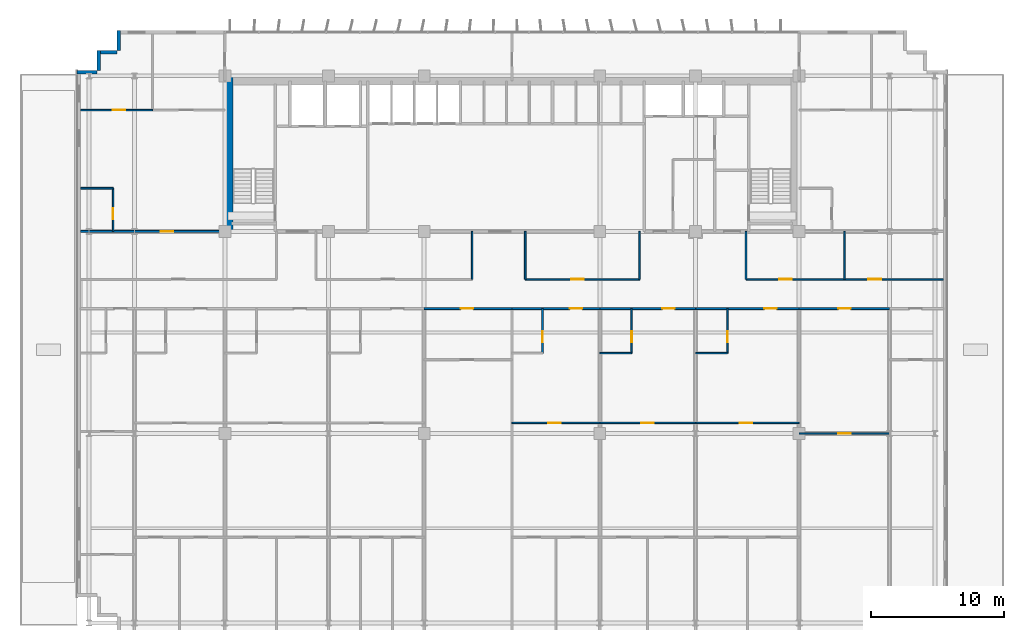
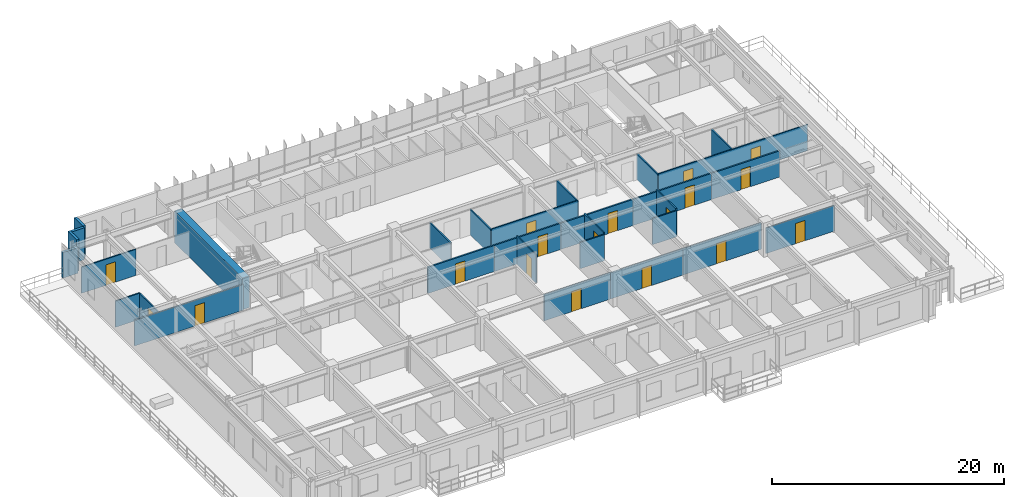
# One storey, part 19 of 26: 30 walls, 18 doors, 18 openings.
"""IFC4 building model written with IfcOpenShell, lengths in metres."""

from ifc_helpers import new_model, si_unit, direction, frame, frame_2d, origin, place, context, subcontext, project, spatial, rectangle, extrude, source, transform, mapped, material, layer, layer_set, type_object, element, fill, save


model = new_model("IFC4")

# Units and contexts
model_context = context("Model", 3, precision=1e-05, world=origin(), true_north=direction((0.0, 1.0)))
body_context = subcontext(model_context, "Body", "Model", "MODEL_VIEW")
ifc_project = project(units=[si_unit("LENGTHUNIT", "METRE"), si_unit("AREAUNIT", "SQUARE_METRE"), si_unit("VOLUMEUNIT", "CUBIC_METRE"), si_unit("PLANEANGLEUNIT", "RADIAN"), si_unit("MASSUNIT", "GRAM", prefix="KILO")], contexts=[model_context])

# Site, building, storey
site_placement = place(None, origin())
site = spatial("IfcSite", under=ifc_project, at=site_placement, CompositionType="ELEMENT")
building_placement = place(site_placement, origin())
building = spatial("IfcBuilding", under=site, at=building_placement, Name="Trelvane Seafront Commons", CompositionType="ELEMENT")
storey_placement = place(building_placement, frame((0.0, 0.0, 23.5)))
storey = spatial("IfcBuildingStorey", under=building, at=storey_placement, Name="L05", CompositionType="ELEMENT", Elevation=23.5)

# Walls
ifc_material_1 = material(Name="Precast concrete C40/50", Category="concrete")
ifc_layer_1 = layer(ifc_material_1, 0.260009765625, Name="ARCH-WALL-EXT260")
ifc_layer_set_1 = layer_set([ifc_layer_1], Name="Precast concrete C40/50")
wall_type_1 = type_object("IfcWallType", Name="ARCH-WALL-EXT260", PredefinedType="SOLIDWALL", material=ifc_layer_set_1)
wall_1_placement = place(storey_placement, frame((4.5, 45.3701171875, 0.0), z_axis=(0.0, 0.0, 1.0), x_axis=(1.0, 0.0, 0.0)))
element("IfcWall", 1, at=wall_1_placement, inside=storey, type_object=wall_type_1, Name="EW-L05-00051", PredefinedType="SOLIDWALL", context=body_context, shape_type="SweptSolid", body=[
    extrude(rectangle(XDim=1.5, YDim=0.260009765625, at=frame_2d((0.75, 0.0))), origin(), (0.0, 0.0, 1.0), 2.68994140625),
])
for number, where, z_axis, x_axis, name in (
    (2, (6.1298828125, 45.5, 0.0), (0.0, 0.0, 1.0), (0.0, 1.0, 0.0), "EW-L05-00052"),
    (3, (6.0, 46.8701171875, 0.0), (0.0, 0.0, 1.0), (1.0, 0.0, 0.0), "EW-L05-00053"),
    (4, (7.6298828125, 47.0, 0.0), (0.0, 0.0, 1.0), (0.0, 1.0, 0.0), "EW-L05-00054"),
):
    element("IfcWall", number, at=place(storey_placement, frame(where, z_axis=z_axis, x_axis=x_axis)), inside=storey, type_object=wall_type_1, Name=name, PredefinedType="SOLIDWALL", context=body_context, shape_type="SweptSolid", body=[
        extrude(rectangle(XDim=1.5, YDim=0.260009765625, at=frame_2d((0.75, 0.0))), origin(), (0.0, 0.0, 1.0), 3.340087890625),
    ])

# Wall, opening, door
ifc_material_2 = material(Name="Gypsum Drywall Acoustic Partition")
ifc_layer_2 = layer(ifc_material_2, 0.1201171875, Name="ARCH-WALL-PART120")
ifc_layer_set_2 = layer_set([ifc_layer_2], Name="Gypsum Drywall Acoustic Partition")
wall_type_2 = type_object("IfcWallType", Name="ARCH-WALL-PART120", PredefinedType="PARTITIONING", material=ifc_layer_set_2)
wall_2_placement = place(storey_placement, frame((38.199951171875, 29.800048828125, 0.0), z_axis=(0.0, 0.0, 1.0), x_axis=(1.0, 0.0, 0.0)))
wall_2 = element("IfcWall", 5, at=wall_2_placement, inside=storey, type_object=wall_type_2, Name="W-L05-CORR-N-M2-040", PredefinedType="PARTITIONING", context=body_context, shape_type="SweptSolid", body=[
    extrude(rectangle(XDim=8.60009765625, YDim=0.1201171875, at=frame_2d((4.300048828125, 0.0))), origin(), (0.0, 0.0, 1.0), 2.751953125),
])
opening_1_placement = place(wall_2_placement, frame((3.4619140625, 0.0, 0.0)))
opening_1 = element("IfcOpeningElement", 6, at=opening_1_placement, cuts=wall_2, Name="Opening D-L05-19", PredefinedType="OPENING", context=body_context, shape_type="SweptSolid", body=[
    extrude(rectangle(XDim=0.949951171875, YDim=2.14990234375, at=frame_2d((0.47509765625, 1.074951171875))), frame((0.0, 0.070068359375, 0.0), z_axis=(0.0, -1.0, 0.0), x_axis=(1.0, 0.0, 0.0)), (0.0, 0.0, 1.0), 0.14013671875),
])
ifc_material_3 = material(Name="Acoustic timber door leaf", Category="wood")
door_type_1 = type_object("IfcDoorType", Name="ARCH-DR-INT950", OperationType="NOTDEFINED", PredefinedType="DOOR", material=ifc_material_3)
shared_shape_1 = source(origin(), body_context, "Body", "SweptSolid", [
    extrude(rectangle(XDim=0.949951171875, YDim=2.14990234375, at=frame_2d((0.47509765625, 1.074951171875))), frame((0.0, 0.02490234375, 0.0), z_axis=(0.0, -1.0, 0.0), x_axis=(1.0, 0.0, 0.0)), (0.0, 0.0, 1.0), 0.050048828125),
])
door_1_placement = place(opening_1_placement, origin())
door_1 = element("IfcDoor", 7, at=door_1_placement, inside=storey, type_object=door_type_1, Name="L05 Door 19", OperationType="SINGLE_SWING_LEFT", OverallHeight=2.14990234375, OverallWidth=0.949951171875, PredefinedType="DOOR", context=body_context, shape_type="MappedRepresentation", body=[
    mapped(shared_shape_1, transform((0.0, 0.0, 0.0), x_axis=(1.0, 0.0, 0.0), y_axis=(0.0, 1.0, 0.0), z_axis=(0.0, 0.0, 1.0), scale=1.0)),
])
fill(opening_1, door_1)

# Wall, openings, doors
wall_3_placement = place(storey_placement, frame((54.800048828125, 29.800048828125, 0.0), z_axis=(0.0, 0.0, 1.0), x_axis=(1.0, 0.0, 0.0)))
wall_3 = element("IfcWall", 8, at=wall_3_placement, inside=storey, type_object=wall_type_2, Name="W-L05-CORR-N-E-041", PredefinedType="PARTITIONING", context=body_context, shape_type="SweptSolid", body=[
    extrude(rectangle(XDim=14.849853515625, YDim=0.1201171875, at=frame_2d((7.4248046875, 0.0))), origin(), (0.0, 0.0, 1.0), 2.751953125),
])
opening_2_placement = place(wall_3_placement, frame((2.5, 0.0, 0.0)))
opening_2 = element("IfcOpeningElement", 9, at=opening_2_placement, cuts=wall_3, Name="Opening D-L05-20", PredefinedType="OPENING", context=body_context, shape_type="SweptSolid", body=[
    extrude(rectangle(XDim=0.949951171875, YDim=2.14990234375, at=frame_2d((0.47509765625, 1.074951171875))), frame((0.0, 0.070068359375, 0.0), z_axis=(0.0, -1.0, 0.0), x_axis=(1.0, 0.0, 0.0)), (0.0, 0.0, 1.0), 0.14013671875),
])
opening_3_placement = place(wall_3_placement, frame((9.199951171875, 0.0, 0.0)))
opening_3 = element("IfcOpeningElement", 10, at=opening_3_placement, cuts=wall_3, Name="Opening D-L05-21", PredefinedType="OPENING", context=body_context, shape_type="SweptSolid", body=[
    extrude(rectangle(XDim=0.949951171875, YDim=2.14990234375, at=frame_2d((0.47509765625, 1.074951171875))), frame((0.0, 0.070068359375, 0.0), z_axis=(0.0, -1.0, 0.0), x_axis=(1.0, 0.0, 0.0)), (0.0, 0.0, 1.0), 0.14013671875),
])
door_2_placement = place(opening_2_placement, origin())
door_2 = element("IfcDoor", 11, at=door_2_placement, inside=storey, type_object=door_type_1, Name="L05 Door 20", OperationType="SINGLE_SWING_RIGHT", OverallHeight=2.14990234375, OverallWidth=0.949951171875, PredefinedType="DOOR", context=body_context, shape_type="MappedRepresentation", body=[
    mapped(shared_shape_1, transform((0.0, 0.0, 0.0), x_axis=(1.0, 0.0, 0.0), y_axis=(0.0, 1.0, 0.0), z_axis=(0.0, 0.0, 1.0), scale=1.0)),
])
fill(opening_2, door_2)
door_3_placement = place(opening_3_placement, origin())
door_3 = element("IfcDoor", 12, at=door_3_placement, inside=storey, type_object=door_type_1, Name="L05 Door 21", OperationType="SINGLE_SWING_LEFT", OverallHeight=2.14990234375, OverallWidth=0.949951171875, PredefinedType="DOOR", context=body_context, shape_type="MappedRepresentation", body=[
    mapped(shared_shape_1, transform((0.0, 0.0, 0.0), x_axis=(1.0, 0.0, 0.0), y_axis=(0.0, 1.0, 0.0), z_axis=(0.0, 0.0, 1.0), scale=1.0)),
])
fill(opening_3, door_3)

# Walls
for number, where, z_axis, x_axis, name in (
    (13, (62.199951171875, 29.800048828125, 0.0), (0.0, 0.0, 1.0), (0.0, 1.0, 0.0), "W-L05-N-LAUN-DV-042"),
    (14, (34.199951171875, 29.800048828125, 0.0), (0.0, 0.0, 1.0), (0.0, 1.0, 0.0), "W-L05-N-SPUR-M1-045"),
    (15, (38.199951171875, 29.800048828125, 0.0), (0.0, 0.0, 1.0), (0.0, 1.0, 0.0), "W-L05-N-SPUR-M2-046"),
    (16, (46.800048828125, 29.800048828125, 0.0), (0.0, 0.0, 1.0), (0.0, 1.0, 0.0), "W-L05-N-SPUR-E1-047"),
    (17, (54.800048828125, 29.800048828125, 0.0), (0.0, 0.0, 1.0), (0.0, 1.0, 0.0), "W-L05-N-SPUR-E2-048"),
):
    element("IfcWall", number, at=place(storey_placement, frame(where, z_axis=z_axis, x_axis=x_axis)), inside=storey, type_object=wall_type_2, Name=name, PredefinedType="PARTITIONING", context=body_context, shape_type="SweptSolid", body=[
        extrude(rectangle(XDim=3.599853515625, YDim=0.1201171875, at=frame_2d((1.7998046875, 0.0))), origin(), (0.0, 0.0, 1.0), 2.68994140625),
    ])

# Wall, opening, door
wall_4_placement = place(storey_placement, frame((7.199951171875, 33.39990234375, 0.0), z_axis=(0.0, 0.0, 1.0), x_axis=(0.0, 1.0, 0.0)))
wall_4 = element("IfcWall", 18, at=wall_4_placement, inside=storey, type_object=wall_type_2, Name="W-L05-NW-BE-049", PredefinedType="PARTITIONING", context=body_context, shape_type="SweptSolid", body=[
    extrude(rectangle(XDim=3.25, YDim=0.1201171875, at=frame_2d((1.625, 0.0))), origin(), (0.0, 0.0, 1.0), 2.68994140625),
])
opening_4_placement = place(wall_4_placement, frame((0.89990234375, 0.0, 0.0)))
opening_4 = element("IfcOpeningElement", 19, at=opening_4_placement, cuts=wall_4, Name="Opening D-L05-22", PredefinedType="OPENING", context=body_context, shape_type="SweptSolid", body=[
    extrude(rectangle(XDim=0.85009765625, YDim=2.10009765625, at=frame_2d((0.425048828125, 1.050048828125))), frame((0.0, 0.070068359375, 0.0), z_axis=(0.0, -1.0, 0.0), x_axis=(1.0, 0.0, 0.0)), (0.0, 0.0, 1.0), 0.14013671875),
])
door_type_2 = type_object("IfcDoorType", Name="ARCH-DR-INT850", OperationType="NOTDEFINED", PredefinedType="DOOR", material=ifc_material_3)
shared_shape_2 = source(origin(), body_context, "Body", "SweptSolid", [
    extrude(rectangle(XDim=0.85009765625, YDim=2.10009765625, at=frame_2d((0.425048828125, 1.050048828125))), frame((0.0, 0.02490234375, 0.0), z_axis=(0.0, -1.0, 0.0), x_axis=(1.0, 0.0, 0.0)), (0.0, 0.0, 1.0), 0.050048828125),
])
door_4_placement = place(opening_4_placement, origin())
door_4 = element("IfcDoor", 20, at=door_4_placement, inside=storey, type_object=door_type_2, Name="L05 Door 22", OperationType="SINGLE_SWING_RIGHT", OverallHeight=2.10009765625, OverallWidth=0.85009765625, PredefinedType="DOOR", context=body_context, shape_type="MappedRepresentation", body=[
    mapped(shared_shape_2, transform((0.0, 0.0, 0.0), x_axis=(1.0, 0.0, 0.0), y_axis=(0.0, 1.0, 0.0), z_axis=(0.0, 0.0, 1.0), scale=1.0)),
])
fill(opening_4, door_4)

# Wall
wall_5_placement = place(storey_placement, frame((4.75, 36.64990234375, 0.0), z_axis=(0.0, 0.0, 1.0), x_axis=(1.0, 0.0, 0.0)))
element("IfcWall", 21, at=wall_5_placement, inside=storey, type_object=wall_type_2, Name="W-L05-NW-BN-050", PredefinedType="PARTITIONING", context=body_context, shape_type="SweptSolid", body=[
    extrude(rectangle(XDim=2.449951171875, YDim=0.1201171875, at=frame_2d((1.22509765625, 0.0))), origin(), (0.0, 0.0, 1.0), 2.751953125),
])

# Wall, opening, door
wall_6_placement = place(storey_placement, frame((4.75, 42.52001953125, 0.0), z_axis=(0.0, 0.0, 1.0), x_axis=(1.0, 0.0, 0.0)))
wall_6 = element("IfcWall", 22, at=wall_6_placement, inside=storey, type_object=wall_type_2, Name="W-L05-NW-KB1-051", PredefinedType="PARTITIONING", context=body_context, shape_type="SweptSolid", body=[
    extrude(rectangle(XDim=5.425048828125, YDim=0.1201171875, at=frame_2d((2.71240234375, 0.0))), origin(), (0.0, 0.0, 1.0), 2.751953125),
])
opening_5_placement = place(wall_6_placement, frame((2.423095703125, 0.0, 0.0)))
opening_5 = element("IfcOpeningElement", 23, at=opening_5_placement, cuts=wall_6, Name="Opening D-L05-23", PredefinedType="OPENING", context=body_context, shape_type="SweptSolid", body=[
    extrude(rectangle(XDim=0.949951171875, YDim=2.14990234375, at=frame_2d((0.47509765625, 1.074951171875))), frame((0.0, 0.070068359375, 0.0), z_axis=(0.0, -1.0, 0.0), x_axis=(1.0, 0.0, 0.0)), (0.0, 0.0, 1.0), 0.14013671875),
])
door_5_placement = place(opening_5_placement, origin())
door_5 = element("IfcDoor", 24, at=door_5_placement, inside=storey, type_object=door_type_1, Name="L05 Door 23", OperationType="SINGLE_SWING_LEFT", OverallHeight=2.14990234375, OverallWidth=0.949951171875, PredefinedType="DOOR", context=body_context, shape_type="MappedRepresentation", body=[
    mapped(shared_shape_1, transform((0.0, 0.0, 0.0), x_axis=(1.0, 0.0, 0.0), y_axis=(0.0, 1.0, 0.0), z_axis=(0.0, 0.0, 1.0), scale=1.0)),
])
fill(opening_5, door_5)

wall_7_placement = place(storey_placement, frame((37.199951171875, 19.0, 0.0), z_axis=(0.0, 0.0, 1.0), x_axis=(1.0, 0.0, 0.0)))
wall_7 = element("IfcWall", 25, at=wall_7_placement, inside=storey, type_object=wall_type_2, Name="W-L05-U6-KL-103", PredefinedType="PARTITIONING", context=body_context, shape_type="SweptSolid", body=[
    extrude(rectangle(XDim=6.60009765625, YDim=0.1201171875, at=frame_2d((3.300048828125, 0.0))), origin(), (0.0, 0.0, 1.0), 2.751953125),
])
opening_6_placement = place(wall_7_placement, frame((2.73388671875, 0.0, 0.0)))
opening_6 = element("IfcOpeningElement", 26, at=opening_6_placement, cuts=wall_7, Name="Opening D-L05-55", PredefinedType="OPENING", context=body_context, shape_type="SweptSolid", body=[
    extrude(rectangle(XDim=0.949951171875, YDim=2.14990234375, at=frame_2d((0.47509765625, 1.074951171875))), frame((0.0, 0.070068359375, 0.0), z_axis=(0.0, -1.0, 0.0), x_axis=(1.0, 0.0, 0.0)), (0.0, 0.0, 1.0), 0.14013671875),
])
door_6_placement = place(opening_6_placement, origin())
door_6 = element("IfcDoor", 27, at=door_6_placement, inside=storey, type_object=door_type_1, Name="L05 Door 55", OperationType="SINGLE_SWING_LEFT", OverallHeight=2.14990234375, OverallWidth=0.949951171875, PredefinedType="DOOR", context=body_context, shape_type="MappedRepresentation", body=[
    mapped(shared_shape_1, transform((0.0, 0.0, 0.0), x_axis=(1.0, 0.0, 0.0), y_axis=(0.0, 1.0, 0.0), z_axis=(0.0, 0.0, 1.0), scale=1.0)),
])
fill(opening_6, door_6)

wall_8_placement = place(storey_placement, frame((39.493896484375, 24.25, 0.0), z_axis=(0.0, 0.0, 1.0), x_axis=(0.0, 1.0, 0.0)))
wall_8 = element("IfcWall", 28, at=wall_8_placement, inside=storey, type_object=wall_type_2, Name="W-L05-U6-BE-104", PredefinedType="PARTITIONING", context=body_context, shape_type="SweptSolid", body=[
    extrude(rectangle(XDim=3.35009765625, YDim=0.1201171875, at=frame_2d((1.675048828125, 0.0))), origin(), (0.0, 0.0, 1.0), 2.93994140625),
])
opening_7_placement = place(wall_8_placement, frame((0.800048828125, 0.0, 0.0)))
opening_7 = element("IfcOpeningElement", 29, at=opening_7_placement, cuts=wall_8, Name="Opening D-L05-56", PredefinedType="OPENING", context=body_context, shape_type="SweptSolid", body=[
    extrude(rectangle(XDim=0.85009765625, YDim=2.10009765625, at=frame_2d((0.425048828125, 1.050048828125))), frame((0.0, 0.070068359375, 0.0), z_axis=(0.0, -1.0, 0.0), x_axis=(1.0, 0.0, 0.0)), (0.0, 0.0, 1.0), 0.14013671875),
])
door_7_placement = place(opening_7_placement, origin())
door_7 = element("IfcDoor", 30, at=door_7_placement, inside=storey, type_object=door_type_2, Name="L05 Door 56", OperationType="SINGLE_SWING_RIGHT", OverallHeight=2.10009765625, OverallWidth=0.85009765625, PredefinedType="DOOR", context=body_context, shape_type="MappedRepresentation", body=[
    mapped(shared_shape_2, transform((0.0, 0.0, 0.0), x_axis=(1.0, 0.0, 0.0), y_axis=(0.0, 1.0, 0.0), z_axis=(0.0, 0.0, 1.0), scale=1.0)),
])
fill(opening_7, door_7)

wall_9_placement = place(storey_placement, frame((43.800048828125, 19.0, 0.0), z_axis=(0.0, 0.0, 1.0), x_axis=(1.0, 0.0, 0.0)))
wall_9 = element("IfcWall", 31, at=wall_9_placement, inside=storey, type_object=wall_type_2, Name="W-L05-U7-KL-110", PredefinedType="PARTITIONING", context=body_context, shape_type="SweptSolid", body=[
    extrude(rectangle(XDim=7.199951171875, YDim=0.1201171875, at=frame_2d((3.60009765625, 0.0))), origin(), (0.0, 0.0, 1.0), 2.751953125),
])
opening_8_placement = place(wall_9_placement, frame((3.125, 0.0, 0.0)))
opening_8 = element("IfcOpeningElement", 32, at=opening_8_placement, cuts=wall_9, Name="Opening D-L05-60", PredefinedType="OPENING", context=body_context, shape_type="SweptSolid", body=[
    extrude(rectangle(XDim=0.949951171875, YDim=2.14990234375, at=frame_2d((0.47509765625, 1.074951171875))), frame((0.0, 0.070068359375, 0.0), z_axis=(0.0, -1.0, 0.0), x_axis=(1.0, 0.0, 0.0)), (0.0, 0.0, 1.0), 0.14013671875),
])
door_8_placement = place(opening_8_placement, origin())
door_8 = element("IfcDoor", 33, at=door_8_placement, inside=storey, type_object=door_type_1, Name="L05 Door 60", OperationType="SINGLE_SWING_RIGHT", OverallHeight=2.14990234375, OverallWidth=0.949951171875, PredefinedType="DOOR", context=body_context, shape_type="MappedRepresentation", body=[
    mapped(shared_shape_1, transform((0.0, 0.0, 0.0), x_axis=(1.0, 0.0, 0.0), y_axis=(0.0, 1.0, 0.0), z_axis=(0.0, 0.0, 1.0), scale=1.0)),
])
fill(opening_8, door_8)

wall_10_placement = place(storey_placement, frame((46.199951171875, 24.25, 0.0), z_axis=(0.0, 0.0, 1.0), x_axis=(0.0, 1.0, 0.0)))
wall_10 = element("IfcWall", 34, at=wall_10_placement, inside=storey, type_object=wall_type_2, Name="W-L05-U7-BE-111", PredefinedType="PARTITIONING", context=body_context, shape_type="SweptSolid", body=[
    extrude(rectangle(XDim=3.35009765625, YDim=0.1201171875, at=frame_2d((1.675048828125, 0.0))), origin(), (0.0, 0.0, 1.0), 2.93994140625),
])
opening_9_placement = place(wall_10_placement, frame((0.800048828125, 0.0, 0.0)))
opening_9 = element("IfcOpeningElement", 35, at=opening_9_placement, cuts=wall_10, Name="Opening D-L05-61", PredefinedType="OPENING", context=body_context, shape_type="SweptSolid", body=[
    extrude(rectangle(XDim=0.85009765625, YDim=2.10009765625, at=frame_2d((0.425048828125, 1.050048828125))), frame((0.0, 0.070068359375, 0.0), z_axis=(0.0, -1.0, 0.0), x_axis=(1.0, 0.0, 0.0)), (0.0, 0.0, 1.0), 0.14013671875),
])
door_9_placement = place(opening_9_placement, origin())
door_9 = element("IfcDoor", 36, at=door_9_placement, inside=storey, type_object=door_type_2, Name="L05 Door 61", OperationType="SINGLE_SWING_LEFT", OverallHeight=2.10009765625, OverallWidth=0.85009765625, PredefinedType="DOOR", context=body_context, shape_type="MappedRepresentation", body=[
    mapped(shared_shape_2, transform((0.0, 0.0, 0.0), x_axis=(1.0, 0.0, 0.0), y_axis=(0.0, 1.0, 0.0), z_axis=(0.0, 0.0, 1.0), scale=1.0)),
])
fill(opening_9, door_9)

# Wall
wall_11_placement = place(storey_placement, frame((43.800048828125, 24.25, 0.0), z_axis=(0.0, 0.0, 1.0), x_axis=(1.0, 0.0, 0.0)))
element("IfcWall", 37, at=wall_11_placement, inside=storey, type_object=wall_type_2, Name="W-L05-U7-BS-112", PredefinedType="PARTITIONING", context=body_context, shape_type="SweptSolid", body=[
    extrude(rectangle(XDim=2.39990234375, YDim=0.1201171875, at=frame_2d((1.199951171875, 0.0))), origin(), (0.0, 0.0, 1.0), 2.751953125),
])

# Wall, opening, door
wall_12_placement = place(storey_placement, frame((51.0, 19.0, 0.0), z_axis=(0.0, 0.0, 1.0), x_axis=(1.0, 0.0, 0.0)))
wall_12 = element("IfcWall", 38, at=wall_12_placement, inside=storey, type_object=wall_type_2, Name="W-L05-U8-KL-117", PredefinedType="PARTITIONING", context=body_context, shape_type="SweptSolid", body=[
    extrude(rectangle(XDim=7.800048828125, YDim=0.1201171875, at=frame_2d((3.89990234375, 0.0))), origin(), (0.0, 0.0, 1.0), 2.751953125),
])
opening_10_placement = place(wall_12_placement, frame((3.3330078125, 0.0, 0.0)))
opening_10 = element("IfcOpeningElement", 39, at=opening_10_placement, cuts=wall_12, Name="Opening D-L05-65", PredefinedType="OPENING", context=body_context, shape_type="SweptSolid", body=[
    extrude(rectangle(XDim=0.949951171875, YDim=2.14990234375, at=frame_2d((0.47509765625, 1.074951171875))), frame((0.0, 0.070068359375, 0.0), z_axis=(0.0, -1.0, 0.0), x_axis=(1.0, 0.0, 0.0)), (0.0, 0.0, 1.0), 0.14013671875),
])
door_10_placement = place(opening_10_placement, origin())
door_10 = element("IfcDoor", 40, at=door_10_placement, inside=storey, type_object=door_type_1, Name="L05 Door 65", OperationType="SINGLE_SWING_LEFT", OverallHeight=2.14990234375, OverallWidth=0.949951171875, PredefinedType="DOOR", context=body_context, shape_type="MappedRepresentation", body=[
    mapped(shared_shape_1, transform((0.0, 0.0, 0.0), x_axis=(1.0, 0.0, 0.0), y_axis=(0.0, 1.0, 0.0), z_axis=(0.0, 0.0, 1.0), scale=1.0)),
])
fill(opening_10, door_10)

wall_13_placement = place(storey_placement, frame((53.39990234375, 24.25, 0.0), z_axis=(0.0, 0.0, 1.0), x_axis=(0.0, 1.0, 0.0)))
wall_13 = element("IfcWall", 41, at=wall_13_placement, inside=storey, type_object=wall_type_2, Name="W-L05-U8-BE-118", PredefinedType="PARTITIONING", context=body_context, shape_type="SweptSolid", body=[
    extrude(rectangle(XDim=3.35009765625, YDim=0.1201171875, at=frame_2d((1.675048828125, 0.0))), origin(), (0.0, 0.0, 1.0), 2.93994140625),
])
opening_11_placement = place(wall_13_placement, frame((0.800048828125, 0.0, 0.0)))
opening_11 = element("IfcOpeningElement", 42, at=opening_11_placement, cuts=wall_13, Name="Opening D-L05-66", PredefinedType="OPENING", context=body_context, shape_type="SweptSolid", body=[
    extrude(rectangle(XDim=0.85009765625, YDim=2.10009765625, at=frame_2d((0.425048828125, 1.050048828125))), frame((0.0, 0.070068359375, 0.0), z_axis=(0.0, -1.0, 0.0), x_axis=(1.0, 0.0, 0.0)), (0.0, 0.0, 1.0), 0.14013671875),
])
door_11_placement = place(opening_11_placement, origin())
door_11 = element("IfcDoor", 43, at=door_11_placement, inside=storey, type_object=door_type_2, Name="L05 Door 66", OperationType="SINGLE_SWING_RIGHT", OverallHeight=2.10009765625, OverallWidth=0.85009765625, PredefinedType="DOOR", context=body_context, shape_type="MappedRepresentation", body=[
    mapped(shared_shape_2, transform((0.0, 0.0, 0.0), x_axis=(1.0, 0.0, 0.0), y_axis=(0.0, 1.0, 0.0), z_axis=(0.0, 0.0, 1.0), scale=1.0)),
])
fill(opening_11, door_11)

# Wall
wall_14_placement = place(storey_placement, frame((51.0, 24.25, 0.0), z_axis=(0.0, 0.0, 1.0), x_axis=(1.0, 0.0, 0.0)))
element("IfcWall", 44, at=wall_14_placement, inside=storey, type_object=wall_type_2, Name="W-L05-U8-BS-119", PredefinedType="PARTITIONING", context=body_context, shape_type="SweptSolid", body=[
    extrude(rectangle(XDim=2.39990234375, YDim=0.1201171875, at=frame_2d((1.199951171875, 0.0))), origin(), (0.0, 0.0, 1.0), 2.751953125),
])

# Wall, opening, door
wall_15_placement = place(storey_placement, frame((58.800048828125, 18.199951171875, 0.0), z_axis=(0.0, 0.0, 1.0), x_axis=(1.0, 0.0, 0.0)))
wall_15 = element("IfcWall", 45, at=wall_15_placement, inside=storey, type_object=wall_type_2, Name="W-L05-U9-DIV-125", PredefinedType="PARTITIONING", context=body_context, shape_type="SweptSolid", body=[
    extrude(rectangle(XDim=6.800048828125, YDim=0.1201171875, at=frame_2d((3.39990234375, 0.0))), origin(), (0.0, 0.0, 1.0), 2.68994140625),
])
opening_12_placement = place(wall_15_placement, frame((2.925048828125, 0.0, 0.0)))
opening_12 = element("IfcOpeningElement", 46, at=opening_12_placement, cuts=wall_15, Name="Opening D-L05-71", PredefinedType="OPENING", context=body_context, shape_type="SweptSolid", body=[
    extrude(rectangle(XDim=0.949951171875, YDim=2.14990234375, at=frame_2d((0.47509765625, 1.074951171875))), frame((0.0, 0.070068359375, 0.0), z_axis=(0.0, -1.0, 0.0), x_axis=(1.0, 0.0, 0.0)), (0.0, 0.0, 1.0), 0.14013671875),
])
door_12_placement = place(opening_12_placement, origin())
door_12 = element("IfcDoor", 47, at=door_12_placement, inside=storey, type_object=door_type_1, Name="L05 Door 71", OperationType="SINGLE_SWING_LEFT", OverallHeight=2.14990234375, OverallWidth=0.949951171875, PredefinedType="DOOR", context=body_context, shape_type="MappedRepresentation", body=[
    mapped(shared_shape_1, transform((0.0, 0.0, 0.0), x_axis=(1.0, 0.0, 0.0), y_axis=(0.0, 1.0, 0.0), z_axis=(0.0, 0.0, 1.0), scale=1.0)),
])
fill(opening_12, door_12)

ifc_layer_3 = layer(ifc_material_2, 0.14990234375, Name="ARCH-WALL-PART150")
ifc_layer_set_3 = layer_set([ifc_layer_3], Name="Gypsum Drywall Acoustic Partition")
wall_type_3 = type_object("IfcWallType", Name="ARCH-WALL-PART150", PredefinedType="PARTITIONING", material=ifc_layer_set_3)
wall_16_placement = place(storey_placement, frame((4.75, 33.39990234375, 0.0), z_axis=(0.0, 0.0, 1.0), x_axis=(1.0, 0.0, 0.0)))
wall_16 = element("IfcWall", 48, at=wall_16_placement, inside=storey, type_object=wall_type_3, Name="W-L05-NW-ENT-054", PredefinedType="PARTITIONING", context=body_context, shape_type="SweptSolid", body=[
    extrude(rectangle(XDim=10.85009765625, YDim=0.14990234375, at=frame_2d((5.425048828125, 0.0))), origin(), (0.0, 0.0, 1.0), 2.68994140625),
])
opening_13_placement = place(wall_16_placement, frame((6.02490234375, 0.0, 0.0)))
opening_13 = element("IfcOpeningElement", 49, at=opening_13_placement, cuts=wall_16, Name="Opening FD-L05-25", PredefinedType="OPENING", context=body_context, shape_type="SweptSolid", body=[
    extrude(rectangle(XDim=0.949951171875, YDim=2.14990234375, at=frame_2d((0.47509765625, 1.074951171875))), frame((0.0, 0.0849609375, 0.0), z_axis=(0.0, -1.0, 0.0), x_axis=(1.0, 0.0, 0.0)), (0.0, 0.0, 1.0), 0.169921875),
])
ifc_material_4 = material(Name="Powder-coated aluminium frame", Category="aluminium")
door_type_3 = type_object("IfcDoorType", Name="ARCH-DR-FD60-950", OperationType="NOTDEFINED", PredefinedType="DOOR", material=ifc_material_4)
door_13_placement = place(opening_13_placement, origin())
door_13 = element("IfcDoor", 50, at=door_13_placement, inside=storey, type_object=door_type_3, Name="L05 NW Flat Entrance Door", OperationType="SINGLE_SWING_LEFT", OverallHeight=2.14990234375, OverallWidth=0.949951171875, PredefinedType="DOOR", context=body_context, shape_type="MappedRepresentation", body=[
    mapped(shared_shape_1, transform((0.0, 0.0, 0.0), x_axis=(1.0, 0.0, 0.0), y_axis=(0.0, 1.0, 0.0), z_axis=(0.0, 0.0, 1.0), scale=1.0)),
])
fill(opening_13, door_13)

wall_17_placement = place(storey_placement, frame((30.60009765625, 27.60009765625, 0.0), z_axis=(0.0, 0.0, 1.0), x_axis=(1.0, 0.0, 0.0)))
wall_17 = element("IfcWall", 51, at=wall_17_placement, inside=storey, type_object=wall_type_3, Name="W-L05-CS-BAY-5-101", PredefinedType="PARTITIONING", context=body_context, shape_type="SweptSolid", body=[
    extrude(rectangle(XDim=6.599853515625, YDim=0.14990234375, at=frame_2d((3.2998046875, 0.0))), origin(), (0.0, 0.0, 1.0), 2.751953125),
])
opening_14_placement = place(wall_17_placement, frame((2.73388671875, 0.0, 0.0)))
opening_14 = element("IfcOpeningElement", 52, at=opening_14_placement, cuts=wall_17, Name="Opening FD-L05-53", PredefinedType="OPENING", context=body_context, shape_type="SweptSolid", body=[
    extrude(rectangle(XDim=0.949951171875, YDim=2.14990234375, at=frame_2d((0.47509765625, 1.074951171875))), frame((0.0, 0.0849609375, 0.0), z_axis=(0.0, -1.0, 0.0), x_axis=(1.0, 0.0, 0.0)), (0.0, 0.0, 1.0), 0.169921875),
])
door_14_placement = place(opening_14_placement, origin())
door_14 = element("IfcDoor", 53, at=door_14_placement, inside=storey, type_object=door_type_3, Name="L05 Bay 05 Entrance Door", OperationType="SINGLE_SWING_LEFT", OverallHeight=2.14990234375, OverallWidth=0.949951171875, PredefinedType="DOOR", context=body_context, shape_type="MappedRepresentation", body=[
    mapped(shared_shape_1, transform((0.0, 0.0, 0.0), x_axis=(1.0, 0.0, 0.0), y_axis=(0.0, 1.0, 0.0), z_axis=(0.0, 0.0, 1.0), scale=1.0)),
])
fill(opening_14, door_14)

wall_18_placement = place(storey_placement, frame((37.199951171875, 27.60009765625, 0.0), z_axis=(0.0, 0.0, 1.0), x_axis=(1.0, 0.0, 0.0)))
wall_18 = element("IfcWall", 54, at=wall_18_placement, inside=storey, type_object=wall_type_3, Name="W-L05-CS-BAY-6-106", PredefinedType="PARTITIONING", context=body_context, shape_type="SweptSolid", body=[
    extrude(rectangle(XDim=6.60009765625, YDim=0.14990234375, at=frame_2d((3.300048828125, 0.0))), origin(), (0.0, 0.0, 1.0), 2.751953125),
])
opening_15_placement = place(wall_18_placement, frame((4.3369140625, 0.0, 0.0)))
opening_15 = element("IfcOpeningElement", 55, at=opening_15_placement, cuts=wall_18, Name="Opening FD-L05-57", PredefinedType="OPENING", context=body_context, shape_type="SweptSolid", body=[
    extrude(rectangle(XDim=0.949951171875, YDim=2.14990234375, at=frame_2d((0.47509765625, 1.074951171875))), frame((0.0, 0.0849609375, 0.0), z_axis=(0.0, -1.0, 0.0), x_axis=(1.0, 0.0, 0.0)), (0.0, 0.0, 1.0), 0.169921875),
])
door_15_placement = place(opening_15_placement, origin())
door_15 = element("IfcDoor", 56, at=door_15_placement, inside=storey, type_object=door_type_3, Name="L05 Unit 06 Entrance Door", OperationType="SINGLE_SWING_LEFT", OverallHeight=2.14990234375, OverallWidth=0.949951171875, PredefinedType="DOOR", context=body_context, shape_type="MappedRepresentation", body=[
    mapped(shared_shape_1, transform((0.0, 0.0, 0.0), x_axis=(1.0, 0.0, 0.0), y_axis=(0.0, 1.0, 0.0), z_axis=(0.0, 0.0, 1.0), scale=1.0)),
])
fill(opening_15, door_15)

wall_19_placement = place(storey_placement, frame((43.800048828125, 27.60009765625, 0.0), z_axis=(0.0, 0.0, 1.0), x_axis=(1.0, 0.0, 0.0)))
wall_19 = element("IfcWall", 57, at=wall_19_placement, inside=storey, type_object=wall_type_3, Name="W-L05-CS-BAY-7-113", PredefinedType="PARTITIONING", context=body_context, shape_type="SweptSolid", body=[
    extrude(rectangle(XDim=7.199951171875, YDim=0.14990234375, at=frame_2d((3.60009765625, 0.0))), origin(), (0.0, 0.0, 1.0), 2.751953125),
])
opening_16_placement = place(wall_19_placement, frame((4.7060546875, 0.0, 0.0)))
opening_16 = element("IfcOpeningElement", 58, at=opening_16_placement, cuts=wall_19, Name="Opening FD-L05-62", PredefinedType="OPENING", context=body_context, shape_type="SweptSolid", body=[
    extrude(rectangle(XDim=0.949951171875, YDim=2.14990234375, at=frame_2d((0.47509765625, 1.074951171875))), frame((0.0, 0.0849609375, 0.0), z_axis=(0.0, -1.0, 0.0), x_axis=(1.0, 0.0, 0.0)), (0.0, 0.0, 1.0), 0.169921875),
])
door_16_placement = place(opening_16_placement, origin())
door_16 = element("IfcDoor", 59, at=door_16_placement, inside=storey, type_object=door_type_3, Name="L05 Unit 07 Entrance Door", OperationType="SINGLE_SWING_RIGHT", OverallHeight=2.14990234375, OverallWidth=0.949951171875, PredefinedType="DOOR", context=body_context, shape_type="MappedRepresentation", body=[
    mapped(shared_shape_1, transform((0.0, 0.0, 0.0), x_axis=(1.0, 0.0, 0.0), y_axis=(0.0, 1.0, 0.0), z_axis=(0.0, 0.0, 1.0), scale=1.0)),
])
fill(opening_16, door_16)

wall_20_placement = place(storey_placement, frame((51.0, 27.60009765625, 0.0), z_axis=(0.0, 0.0, 1.0), x_axis=(1.0, 0.0, 0.0)))
wall_20 = element("IfcWall", 60, at=wall_20_placement, inside=storey, type_object=wall_type_3, Name="W-L05-CS-BAY-8-120", PredefinedType="PARTITIONING", context=body_context, shape_type="SweptSolid", body=[
    extrude(rectangle(XDim=7.800048828125, YDim=0.14990234375, at=frame_2d((3.89990234375, 0.0))), origin(), (0.0, 0.0, 1.0), 2.751953125),
])
opening_17_placement = place(wall_20_placement, frame((5.172119140625, 0.0, 0.0)))
opening_17 = element("IfcOpeningElement", 61, at=opening_17_placement, cuts=wall_20, Name="Opening FD-L05-67", PredefinedType="OPENING", context=body_context, shape_type="SweptSolid", body=[
    extrude(rectangle(XDim=0.949951171875, YDim=2.14990234375, at=frame_2d((0.47509765625, 1.074951171875))), frame((0.0, 0.0849609375, 0.0), z_axis=(0.0, -1.0, 0.0), x_axis=(1.0, 0.0, 0.0)), (0.0, 0.0, 1.0), 0.169921875),
])
door_17_placement = place(opening_17_placement, origin())
door_17 = element("IfcDoor", 62, at=door_17_placement, inside=storey, type_object=door_type_3, Name="L05 Unit 08 Entrance Door", OperationType="SINGLE_SWING_LEFT", OverallHeight=2.14990234375, OverallWidth=0.949951171875, PredefinedType="DOOR", context=body_context, shape_type="MappedRepresentation", body=[
    mapped(shared_shape_1, transform((0.0, 0.0, 0.0), x_axis=(1.0, 0.0, 0.0), y_axis=(0.0, 1.0, 0.0), z_axis=(0.0, 0.0, 1.0), scale=1.0)),
])
fill(opening_17, door_17)

wall_21_placement = place(storey_placement, frame((58.800048828125, 27.60009765625, 0.0), z_axis=(0.0, 0.0, 1.0), x_axis=(1.0, 0.0, 0.0)))
wall_21 = element("IfcWall", 63, at=wall_21_placement, inside=storey, type_object=wall_type_3, Name="W-L05-CS-BAY-9-124", PredefinedType="PARTITIONING", context=body_context, shape_type="SweptSolid", body=[
    extrude(rectangle(XDim=6.800048828125, YDim=0.14990234375, at=frame_2d((3.39990234375, 0.0))), origin(), (0.0, 0.0, 1.0), 2.751953125),
])
opening_18_placement = place(wall_21_placement, frame((2.925048828125, 0.0, 0.0)))
opening_18 = element("IfcOpeningElement", 64, at=opening_18_placement, cuts=wall_21, Name="Opening FD-L05-70", PredefinedType="OPENING", context=body_context, shape_type="SweptSolid", body=[
    extrude(rectangle(XDim=0.949951171875, YDim=2.14990234375, at=frame_2d((0.47509765625, 1.074951171875))), frame((0.0, 0.0849609375, 0.0), z_axis=(0.0, -1.0, 0.0), x_axis=(1.0, 0.0, 0.0)), (0.0, 0.0, 1.0), 0.169921875),
])
door_18_placement = place(opening_18_placement, origin())
door_18 = element("IfcDoor", 65, at=door_18_placement, inside=storey, type_object=door_type_3, Name="L05 Bay 09 Entrance Door", OperationType="SINGLE_SWING_RIGHT", OverallHeight=2.14990234375, OverallWidth=0.949951171875, PredefinedType="DOOR", context=body_context, shape_type="MappedRepresentation", body=[
    mapped(shared_shape_1, transform((0.0, 0.0, 0.0), x_axis=(1.0, 0.0, 0.0), y_axis=(0.0, 1.0, 0.0), z_axis=(0.0, 0.0, 1.0), scale=1.0)),
])
fill(opening_18, door_18)

# Wall
ifc_material_5 = material(Name="Concrete C60/75", Category="concrete")
ifc_layer_4 = layer(ifc_material_5, 0.699951171875, Name="STR-WALL-CORE700")
ifc_layer_set_4 = layer_set([ifc_layer_4], Name="Concrete C60/75")
wall_type_4 = type_object("IfcWallType", Name="STR-WALL-CORE700", PredefinedType="SHEAR", material=ifc_layer_set_4)
wall_22_placement = place(storey_placement, frame((15.85009765625, 33.39990234375, 0.0), z_axis=(0.0, 0.0, 1.0), x_axis=(0.0, 1.0, 0.0)))
element("IfcWall", 66, at=wall_22_placement, inside=storey, type_object=wall_type_4, Name="W-L05-CW-END-002", PredefinedType="SHEAR", context=body_context, shape_type="SweptSolid", body=[
    extrude(rectangle(XDim=11.7001953125, YDim=0.699951171875, at=frame_2d((5.85009765625, 0.0))), origin(), (0.0, 0.0, 1.0), 3.340087890625),
])

save(model, "model.ifc")
